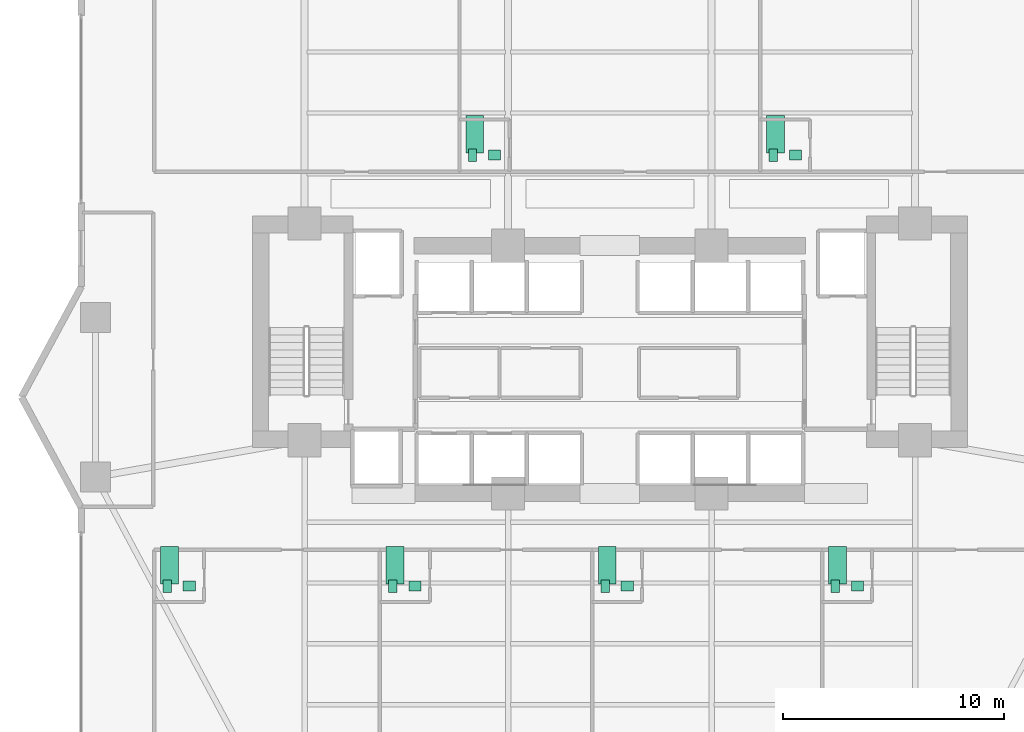
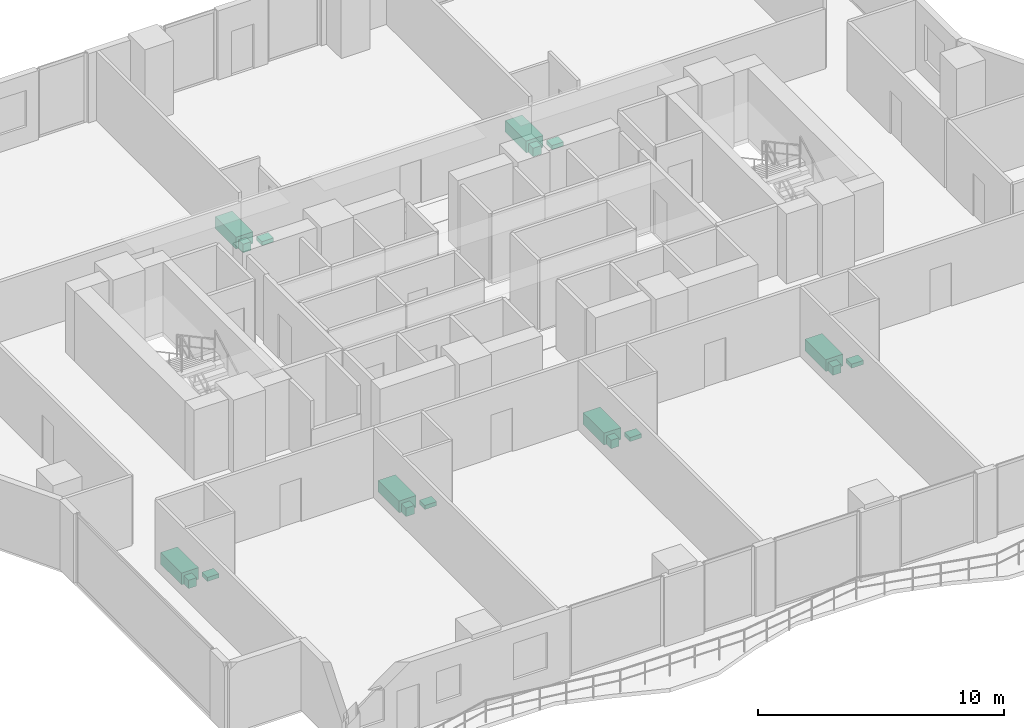
# One storey, part 28 of 28: 18 sanitary terminals.
"""IFC4 building model written with IfcOpenShell, lengths in metres."""

from ifc_helpers import new_model, si_unit, direction, frame, origin, origin_2d, place, context, subcontext, project, spatial, rectangle, extrude, material, type_object, element, save


model = new_model("IFC4")

# Units and contexts
model_context = context("Model", 3, precision=1e-05, world=origin(), true_north=direction((0.0, 1.0)))
body_context = subcontext(model_context, "Body", "Model", "MODEL_VIEW")
ifc_project = project(units=[si_unit("LENGTHUNIT", "METRE"), si_unit("AREAUNIT", "SQUARE_METRE"), si_unit("VOLUMEUNIT", "CUBIC_METRE"), si_unit("PLANEANGLEUNIT", "RADIAN"), si_unit("MASSUNIT", "GRAM", prefix="KILO")], contexts=[model_context])

# Site, building, storey
site_placement = place(None, origin())
site = spatial("IfcSite", under=ifc_project, at=site_placement, CompositionType="ELEMENT")
building_placement = place(site_placement, origin())
building = spatial("IfcBuilding", under=site, at=building_placement, Name="Zuhayl Quay Hotel", CompositionType="ELEMENT")
storey_placement = place(building_placement, frame((0.0, 0.0, 139.449951171875)))
storey = spatial("IfcBuildingStorey", under=building, at=storey_placement, Name="L35", CompositionType="ELEMENT", Elevation=139.449951171875)

# Sanitary terminals
ifc_material = material(Name="Vitreous Porcelain Sanitaryware")
sanitary_terminal_type_1 = type_object("IfcSanitaryTerminalType", Name="SAN_BASIN", PredefinedType="WASHHANDBASIN", material=ifc_material)
for number, where, z_axis, x_axis, name in (
    (1, (-5.2099609375, 17.43994140625, 0.0), (0.0, 0.0, 1.0), (1.0, 0.0, 0.0), "L35 Sanitary Fixture WASHHANDBASIN"),
    (2, (8.389892578125, 17.43994140625, 0.0), (0.0, 0.0, 1.0), (1.0, 0.0, 0.0), "L35 Sanitary Fixture WASHHANDBASIN"),
    (3, (-19.010009765625, -2.0400390625, 0.0), (0.0, 0.0, 1.0), (1.0, 0.0, 0.0), "L35 Sanitary Fixture WASHHANDBASIN"),
    (4, (-8.81005859375, -2.0400390625, 0.0), (0.0, 0.0, 1.0), (1.0, 0.0, 0.0), "L35 Sanitary Fixture WASHHANDBASIN"),
    (5, (0.7900390625, -2.0400390625, 0.0), (0.0, 0.0, 1.0), (1.0, 0.0, 0.0), "L35 Sanitary Fixture WASHHANDBASIN"),
    (6, (11.18994140625, -2.0400390625, 0.0), (0.0, 0.0, 1.0), (1.0, 0.0, 0.0), "L35 Sanitary Fixture WASHHANDBASIN"),
):
    element("IfcSanitaryTerminal", number, at=place(storey_placement, frame(where, z_axis=z_axis, x_axis=x_axis)), inside=storey, type_object=sanitary_terminal_type_1, Name=name, PredefinedType="WASHHANDBASIN", context=body_context, shape_type="SweptSolid", body=[
        extrude(rectangle(XDim=0.550048828125, YDim=0.449951171875, at=origin_2d()), origin(), (0.0, 0.0, 1.0), 0.199951171875),
    ])
sanitary_terminal_type_2 = type_object("IfcSanitaryTerminalType", Name="SAN_BATH", PredefinedType="BATH", material=ifc_material)
for number, where, z_axis, x_axis, name in (
    (7, (-6.110107421875, 18.389892578125, 0.0), (0.0, 0.0, 1.0), (1.0, 0.0, 0.0), "L35 Sanitary Fixture BATH"),
    (8, (7.489990234375, 18.389892578125, 0.0), (0.0, 0.0, 1.0), (1.0, 0.0, 0.0), "L35 Sanitary Fixture BATH"),
    (9, (-19.909912109375, -1.090087890625, 0.0), (0.0, 0.0, 1.0), (1.0, 0.0, 0.0), "L35 Sanitary Fixture BATH"),
    (10, (-9.7099609375, -1.090087890625, 0.0), (0.0, 0.0, 1.0), (1.0, 0.0, 0.0), "L35 Sanitary Fixture BATH"),
    (11, (-0.110107421875, -1.090087890625, 0.0), (0.0, 0.0, 1.0), (1.0, 0.0, 0.0), "L35 Sanitary Fixture BATH"),
    (12, (10.2900390625, -1.090087890625, 0.0), (0.0, 0.0, 1.0), (1.0, 0.0, 0.0), "L35 Sanitary Fixture BATH"),
):
    element("IfcSanitaryTerminal", number, at=place(storey_placement, frame(where, z_axis=z_axis, x_axis=x_axis)), inside=storey, type_object=sanitary_terminal_type_2, Name=name, PredefinedType="BATH", context=body_context, shape_type="SweptSolid", body=[
        extrude(rectangle(XDim=0.800048828125, YDim=1.699951171875, at=origin_2d()), origin(), (0.0, 0.0, 1.0), 0.580078125),
    ])
sanitary_terminal_type_3 = type_object("IfcSanitaryTerminalType", Name="SAN_WC", PredefinedType="TOILETPAN", material=ifc_material)
for number, where, z_axis, x_axis, name in (
    (13, (-6.2099609375, 17.43994140625, 0.0), (0.0, 0.0, 1.0), (1.0, 0.0, 0.0), "L35 Sanitary Fixture TOILETPAN"),
    (14, (7.389892578125, 17.43994140625, 0.0), (0.0, 0.0, 1.0), (1.0, 0.0, 0.0), "L35 Sanitary Fixture TOILETPAN"),
    (15, (-20.010009765625, -2.0400390625, 0.0), (0.0, 0.0, 1.0), (1.0, 0.0, 0.0), "L35 Sanitary Fixture TOILETPAN"),
    (16, (-9.81005859375, -2.0400390625, 0.0), (0.0, 0.0, 1.0), (1.0, 0.0, 0.0), "L35 Sanitary Fixture TOILETPAN"),
    (17, (-0.2099609375, -2.0400390625, 0.0), (0.0, 0.0, 1.0), (1.0, 0.0, 0.0), "L35 Sanitary Fixture TOILETPAN"),
    (18, (10.18994140625, -2.0400390625, 0.0), (0.0, 0.0, 1.0), (1.0, 0.0, 0.0), "L35 Sanitary Fixture TOILETPAN"),
):
    element("IfcSanitaryTerminal", number, at=place(storey_placement, frame(where, z_axis=z_axis, x_axis=x_axis)), inside=storey, type_object=sanitary_terminal_type_3, Name=name, PredefinedType="TOILETPAN", context=body_context, shape_type="SweptSolid", body=[
        extrude(rectangle(XDim=0.3798828125, YDim=0.56005859375, at=origin_2d()), origin(), (0.0, 0.0, 1.0), 0.419921875),
    ])

save(model, "model.ifc")
